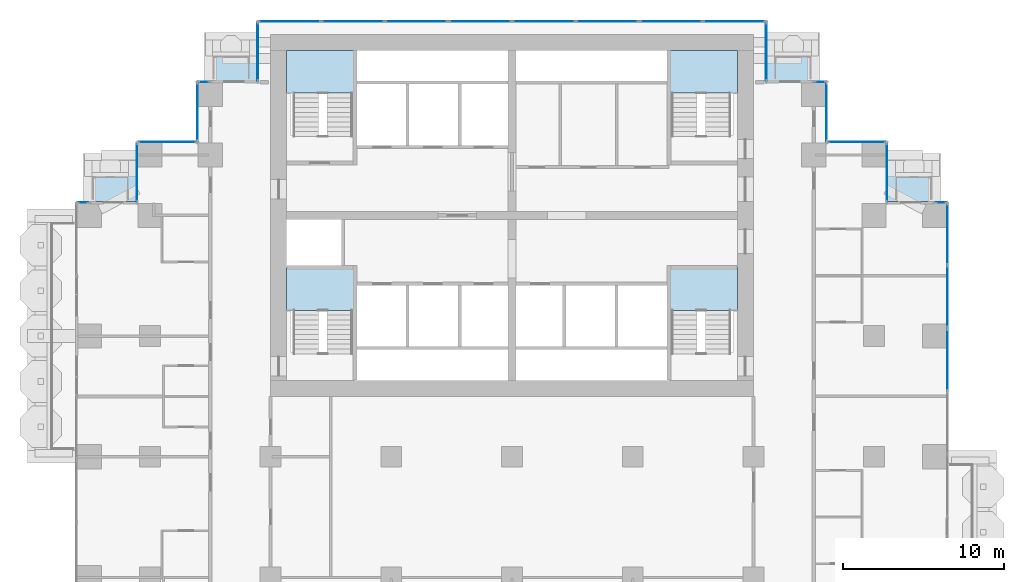
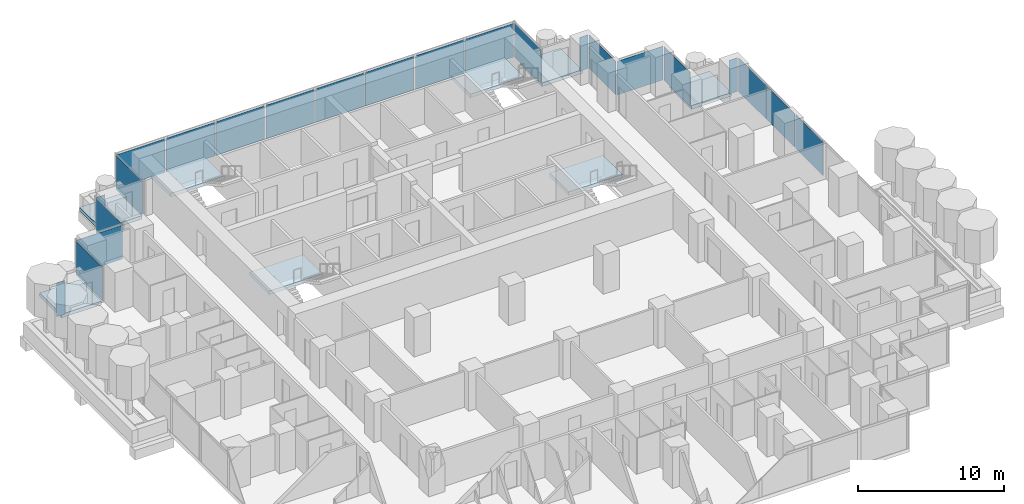
# One storey, part 9 of 19: 23 plates, 8 slabs, 21 elements without a shape of their own.
"""IFC4 building model written with IfcOpenShell, lengths in metres."""

import ifcopenshell
import ifcopenshell.guid

model = None  # the IFC model being written
_history = None  # IfcOwnerHistory: only IFC2X3 demands one
_inside = {}  # id of a spatial element -> (the spatial element, [elements in it])
_under = {}  # id of a project, library or spatial element -> (it, [spatial elements below it])
_declared = {}  # id of a project -> (the project, [libraries it declares])
_typed = {}  # id of a type object -> (the type object, [elements of that type])
_made_of = {}  # id of a material, layer set ... -> (it, [elements and type objects made of it])


def new_model(schema):
    """Start an empty IFC model of exactly this schema.

    Asked for "IFC4X3", IfcOpenShell would pick the latest addendum, in which some entities
    have other attributes; the version numbers below select the first issue.
    IFC2X3 requires an IfcOwnerHistory on every rooted entity: one is made here for all.
    """
    global model, _history
    if schema == "IFC4X3":
        model = ifcopenshell.file(schema_version=(4, 3, 0, 0))
    else:
        model = ifcopenshell.file(schema=schema)
    _inside.clear()
    _under.clear()
    _declared.clear()
    _typed.clear()
    _made_of.clear()
    _history = None
    if model.schema == "IFC2X3":
        org = make("IfcOrganization", Name="unknown")
        user = make(
            "IfcPersonAndOrganization",
            ThePerson=make("IfcPerson", FamilyName="unknown"),
            TheOrganization=org,
        )
        app = make(
            "IfcApplication",
            ApplicationDeveloper=org,
            Version="unknown",
            ApplicationFullName="unknown",
            ApplicationIdentifier="unknown",
        )
        _history = make(
            "IfcOwnerHistory",
            OwningUser=user,
            OwningApplication=app,
            ChangeAction="ADDED",
            CreationDate=0,
        )
    return model


def make(cls, **values):
    """One entity of the class cls with the attributes given. An attribute that is None is left unset."""
    return model.create_entity(
        cls, **{name: value for name, value in values.items() if value is not None}
    )


def rooted(cls, **values):
    """An entity with a GlobalId (a new one), such as an element, a storey or a relation."""
    return make(cls, GlobalId=ifcopenshell.guid.new(), OwnerHistory=_history, **values)


def si_unit(unit_type, name, prefix=None):
    """IfcSIUnit, for example si_unit("LENGTHUNIT", "METRE", prefix="MILLI")."""
    return make("IfcSIUnit", UnitType=unit_type, Prefix=prefix, Name=name)


def assignment(units):
    """IfcUnitAssignment: the units of a project."""
    return None if units is None else make("IfcUnitAssignment", Units=units)


def point(xyz):
    """IfcCartesianPoint."""
    return None if xyz is None else make("IfcCartesianPoint", Coordinates=xyz)


def direction(xyz):
    """IfcDirection."""
    return None if xyz is None else make("IfcDirection", DirectionRatios=xyz)


def frame(location, z_axis=None, x_axis=None):
    """IfcAxis2Placement3D, a coordinate frame: its origin and axes. An axis left out is left unset."""
    return make(
        "IfcAxis2Placement3D",
        Location=point(location),
        Axis=direction(z_axis),
        RefDirection=direction(x_axis),
    )


def frame_2d(location, x_axis=None):
    """IfcAxis2Placement2D, a coordinate frame in the plane: its origin and x axis."""
    return make(
        "IfcAxis2Placement2D", Location=point(location), RefDirection=direction(x_axis)
    )


def origin():
    """The frame at (0, 0, 0) with its axes left unset."""
    return frame((0.0, 0.0, 0.0))


def origin_2d():
    """The frame at (0, 0) in the plane with its x axis left unset."""
    return frame_2d((0.0, 0.0))


def place(relative_to, where):
    """IfcLocalPlacement: puts the frame where relative to a parent placement (None: the world)."""
    return make(
        "IfcLocalPlacement", PlacementRelTo=relative_to, RelativePlacement=where
    )


def context(
    kind, dimensions, precision=None, world=None, true_north=None, identifier=None
):
    """IfcGeometricRepresentationContext, for example the 3D "Model" context."""
    return make(
        "IfcGeometricRepresentationContext",
        ContextIdentifier=identifier,
        ContextType=kind,
        CoordinateSpaceDimension=dimensions,
        Precision=precision,
        WorldCoordinateSystem=world,
        TrueNorth=true_north,
    )


def subcontext(parent, identifier, kind, view, scale=None):
    """IfcGeometricRepresentationSubContext, for example "Body" below "Model"."""
    return make(
        "IfcGeometricRepresentationSubContext",
        ContextIdentifier=identifier,
        ContextType=kind,
        ParentContext=parent,
        TargetScale=scale,
        TargetView=view,
    )


def project(units=None, contexts=None):
    """IfcProject with its units and contexts."""
    return rooted(
        "IfcProject",
        Name="project",
        RepresentationContexts=contexts,
        UnitsInContext=assignment(units),
    )


def spatial(cls, under=None, at=None, **own):
    """A site, building, storey or space (cls), placed at a placement, below another one or the project."""
    s = rooted(cls, ObjectPlacement=at, **own)
    if under is not None:
        _under.setdefault(under.id(), (under, []))[1].append(s)
    return s


def polyline(points):
    """IfcPolyline through the points."""
    return make("IfcPolyline", Points=[point(p) for p in points])


def profile(cls, at=None, kind="AREA", **sizes):
    """A parametric profile (cls). Its sizes go by their IFC names, for example OverallWidth=200.0."""
    return make(cls, ProfileType=kind, Position=at, **sizes)


def rectangle(**sizes):
    """IfcRectangleProfileDef."""
    return profile("IfcRectangleProfileDef", **sizes)


def outline(outer, holes=None, kind="AREA"):
    """IfcArbitraryClosedProfileDef: a profile drawn as a closed curve; with holes, ...WithVoids."""
    if holes is None:
        return make("IfcArbitraryClosedProfileDef", ProfileType=kind, OuterCurve=outer)
    return make(
        "IfcArbitraryProfileDefWithVoids",
        ProfileType=kind,
        OuterCurve=outer,
        InnerCurves=holes,
    )


def extrude(swept, where, along, depth):
    """IfcExtrudedAreaSolid: the profile swept, set in the frame where, extruded along a direction by depth."""
    return make(
        "IfcExtrudedAreaSolid",
        SweptArea=swept,
        Position=where,
        ExtrudedDirection=direction(along),
        Depth=depth,
    )


def shape(context_of_items, identifier, shape_type, items):
    """IfcShapeRepresentation: the items that make up one representation, for example the "Body"."""
    return make(
        "IfcShapeRepresentation",
        ContextOfItems=context_of_items,
        RepresentationIdentifier=identifier,
        RepresentationType=shape_type,
        Items=items,
    )


def material(Name=None, Category=None):
    """IfcMaterial."""
    return make("IfcMaterial", Name=Name, Category=Category)


def layer(
    of_material, thickness, ventilated=None, Name=None, Category=None, Priority=None
):
    """IfcMaterialLayer: one layer of a wall or slab, of a material (None: an air gap)."""
    return make(
        "IfcMaterialLayer",
        Material=of_material,
        LayerThickness=thickness,
        IsVentilated=ventilated,
        Name=Name,
        Category=Category,
        Priority=Priority,
    )


def layer_set(layers, Name=None):
    """IfcMaterialLayerSet."""
    return make("IfcMaterialLayerSet", MaterialLayers=layers, LayerSetName=Name)


def made_of(thing, what):
    """Note that an element or type object is made of a material, layer set ...; save() writes the relation."""
    if what is not None:
        _made_of.setdefault(what.id(), (what, []))[1].append(thing)
    return thing


def type_object(cls, material=None, **own):
    """A type object (cls), such as IfcWallType, which elements share."""
    return made_of(rooted(cls, **own), material)


def element(
    cls,
    number,
    at=None,
    inside=None,
    cuts=None,
    type_object=None,
    material=None,
    context=None,
    identifier="Body",
    shape_type=None,
    held_by="IfcProductDefinitionShape",
    body=None,
    shapes=None,
    **own,
):
    """One element of the class cls, such as IfcWall. Its Tag is "e" and its number.

    at: its placement. inside: the storey or other place that contains it. cuts: it is an
    opening in that element (IfcRelVoidsElement). A single representation is given by context,
    identifier, shape_type and body (its items); several are given by shapes. held_by: the class
    of the entity that holds the representations. save() writes the other relations.
    """
    e = rooted(cls, Tag="e%d" % number, ObjectPlacement=at, **own)
    if body is not None:
        shapes = [shape(context, identifier, shape_type, body)]
    if shapes is not None:
        e.Representation = make(held_by, Representations=shapes)
    if inside is not None:
        _inside.setdefault(inside.id(), (inside, []))[1].append(e)
    if cuts is not None:
        rooted(
            "IfcRelVoidsElement", RelatingBuildingElement=cuts, RelatedOpeningElement=e
        )
    if type_object is not None:
        _typed.setdefault(type_object.id(), (type_object, []))[1].append(e)
    return made_of(e, material)


def aggregate(whole, parts):
    """IfcRelAggregates: a whole, such as a stair, and the parts it consists of."""
    return rooted("IfcRelAggregates", RelatingObject=whole, RelatedObjects=parts)


def save(model, path):
    """Write the relations noted so far, then the file.

    IfcRelAggregates (storeys below a building ...), IfcRelContainedInSpatialStructure (elements
    in a storey), IfcRelDefinesByType, IfcRelAssociatesMaterial and IfcRelDeclares: one each for
    every whole, place, type object, material and project.
    """
    for whole, parts in _under.values():
        aggregate(whole, parts)
    for where, things in _inside.values():
        rooted(
            "IfcRelContainedInSpatialStructure",
            RelatedElements=things,
            RelatingStructure=where,
        )
    for kind, things in _typed.values():
        rooted("IfcRelDefinesByType", RelatedObjects=things, RelatingType=kind)
    for what, things in _made_of.values():
        rooted("IfcRelAssociatesMaterial", RelatedObjects=things, RelatingMaterial=what)
    for by, libraries in _declared.values():
        rooted("IfcRelDeclares", RelatingContext=by, RelatedDefinitions=libraries)
    model.write(path)


model = new_model("IFC4")

# Units and contexts
model_context = context("Model", 3, precision=1e-05, world=origin(), true_north=direction((0.0, 1.0)))
body_context = subcontext(model_context, "Body", "Model", "MODEL_VIEW")
ifc_project = project(units=[si_unit("LENGTHUNIT", "METRE"), si_unit("AREAUNIT", "SQUARE_METRE"), si_unit("VOLUMEUNIT", "CUBIC_METRE"), si_unit("PLANEANGLEUNIT", "RADIAN"), si_unit("MASSUNIT", "GRAM", prefix="KILO")], contexts=[model_context])

# Site, building, storey
site_placement = place(None, origin())
site = spatial("IfcSite", under=ifc_project, at=site_placement, CompositionType="ELEMENT")
building_placement = place(site_placement, origin())
building = spatial("IfcBuilding", under=site, at=building_placement, Name="Pilkhan Gate Tower", CompositionType="ELEMENT")
storey_placement = place(building_placement, frame((0.0, 0.0, 89.0)))
storey = spatial("IfcBuildingStorey", under=building, at=storey_placement, Name="L21", CompositionType="ELEMENT", Elevation=89.0)

# Slabs
ifc_material_1 = material(Name="Concrete C60/75", Category="concrete")
ifc_layer_1 = layer(ifc_material_1, 0.300048828125)
ifc_layer_set_1 = layer_set([ifc_layer_1], Name="Balcony tray slab TR300")
slab_type_1 = type_object("IfcSlabType", Name="Balcony tray slab TR300", PredefinedType="FLOOR", material=ifc_layer_set_1)
slab_1_placement = place(storey_placement, frame((0.0, 0.0, -0.300048828125)))
element("IfcSlab", 1, at=slab_1_placement, inside=storey, type_object=slab_type_1, Name="Balcony tray L21 N", PredefinedType="FLOOR", context=body_context, shape_type="SweptSolid", body=[
    extrude(outline(polyline([(59.14990234375, 90.85009765625), (59.14990234375, 93.85009765625), (55.949951171875, 93.85009765625), (55.949951171875, 90.85009765625), (59.14990234375, 90.85009765625)])), origin(), (0.0, 0.0, 1.0), 0.300048828125),
])
slab_2_placement = place(storey_placement, frame((0.0, 0.0, -0.300048828125)))
element("IfcSlab", 2, at=slab_2_placement, inside=storey, type_object=slab_type_1, Name="Balcony tray L21 N", PredefinedType="FLOOR", context=body_context, shape_type="SweptSolid", body=[
    extrude(outline(polyline([(94.050048828125, 90.85009765625), (94.050048828125, 93.85009765625), (90.85009765625, 93.85009765625), (90.85009765625, 90.85009765625), (94.050048828125, 90.85009765625)])), origin(), (0.0, 0.0, 1.0), 0.300048828125),
])
slab_3_placement = place(storey_placement, frame((0.0, 0.0, -0.300048828125)))
element("IfcSlab", 3, at=slab_3_placement, inside=storey, type_object=slab_type_1, Name="Balcony tray L21 N", PredefinedType="FLOOR", context=body_context, shape_type="SweptSolid", body=[
    extrude(outline(polyline([(51.6298828125, 83.3701171875), (51.6298828125, 86.35009765625), (48.449951171875, 86.35009765625), (48.449951171875, 83.3701171875), (51.6298828125, 83.3701171875)])), origin(), (0.0, 0.0, 1.0), 0.300048828125),
])
slab_4_placement = place(storey_placement, frame((0.0, 0.0, -0.300048828125)))
element("IfcSlab", 4, at=slab_4_placement, inside=storey, type_object=slab_type_1, Name="Balcony tray L21 N", PredefinedType="FLOOR", context=body_context, shape_type="SweptSolid", body=[
    extrude(outline(polyline([(101.550048828125, 83.3701171875), (101.550048828125, 86.35009765625), (98.3701171875, 86.35009765625), (98.3701171875, 83.3701171875), (101.550048828125, 83.3701171875)])), origin(), (0.0, 0.0, 1.0), 0.300048828125),
])

# Curtain wall, plate
ifc_material_2 = material(Name="Pale anodised aluminium, clear low-iron double glazing", Category="aluminium")
curtain_wall_type = type_object("IfcCurtainWallType", Name="Hotel unitised curtain wall CW-H", PredefinedType="USERDEFINED", material=ifc_material_2)
curtain_wall_1_placement = place(storey_placement, origin())
curtain_wall_1 = element("IfcCurtainWall", 5, at=curtain_wall_1_placement, inside=storey, type_object=curtain_wall_type, Name="Hotel unitised curtain wall CW-H L21 E", ObjectType="UNITISED CURTAIN WALL", PredefinedType="USERDEFINED")
ifc_material_3 = material(Name="Clear low-iron double glazing", Category="glass")
ifc_layer_2 = layer(ifc_material_3, 0.035888671875)
ifc_layer_set_2 = layer_set([ifc_layer_2], Name="Glass panel CW-H 36")
plate_type = type_object("IfcPlateType", Name="Glass panel CW-H 36", PredefinedType="CURTAIN_PANEL", material=ifc_layer_set_2)
plate_1_placement = place(storey_placement, frame((102.044921875, 73.50634765625, 0.0), z_axis=(0.0, 0.0, 1.0), x_axis=(0.0, 1.0, 0.0)))
plate_1 = element("IfcPlate", 6, at=plate_1_placement, type_object=plate_type, Name="CW-H panel 3", PredefinedType="CURTAIN_PANEL", context=body_context, shape_type="SweptSolid", body=[
    extrude(rectangle(XDim=3.8115234375, YDim=0.035888671875, at=origin_2d()), origin(), (0.0, 0.0, 1.0), 2.820068359375),
])
aggregate(curtain_wall_1, [plate_1])

# Curtain wall, plates
curtain_wall_2_placement = place(storey_placement, origin())
curtain_wall_2 = element("IfcCurtainWall", 7, at=curtain_wall_2_placement, inside=storey, type_object=curtain_wall_type, Name="Hotel unitised curtain wall CW-H L21 E", ObjectType="UNITISED CURTAIN WALL", PredefinedType="USERDEFINED")
plate_2_placement = place(storey_placement, frame((102.044921875, 77.44775390625, 0.0), z_axis=(0.0, 0.0, 1.0), x_axis=(0.0, 1.0, 0.0)))
plate_2 = element("IfcPlate", 8, at=plate_2_placement, type_object=plate_type, Name="CW-H panel 1", PredefinedType="CURTAIN_PANEL", context=body_context, shape_type="SweptSolid", body=[
    extrude(rectangle(XDim=3.8115234375, YDim=0.035888671875, at=origin_2d()), origin(), (0.0, 0.0, 1.0), 2.820068359375),
])
plate_3_placement = place(storey_placement, frame((102.044921875, 81.32421875, 0.0), z_axis=(0.0, 0.0, 1.0), x_axis=(0.0, 1.0, 0.0)))
plate_3 = element("IfcPlate", 9, at=plate_3_placement, type_object=plate_type, Name="CW-H panel 2", PredefinedType="CURTAIN_PANEL", context=body_context, shape_type="SweptSolid", body=[
    extrude(rectangle(XDim=3.8115234375, YDim=0.035888671875, at=origin_2d()), origin(), (0.0, 0.0, 1.0), 2.820068359375),
])
aggregate(curtain_wall_2, [plate_2, plate_3])

# Curtain wall, plate
curtain_wall_3_placement = place(storey_placement, origin())
curtain_wall_3 = element("IfcCurtainWall", 10, at=curtain_wall_3_placement, inside=storey, type_object=curtain_wall_type, Name="Hotel unitised curtain wall CW-H L21 N", ObjectType="UNITISED CURTAIN WALL", PredefinedType="USERDEFINED")
plate_4_placement = place(storey_placement, frame((101.6474609375, 83.294921875, 0.0), z_axis=(0.0, 0.0, 1.0), x_axis=(1.0, 0.0, 0.0)))
plate_4 = element("IfcPlate", 11, at=plate_4_placement, type_object=plate_type, Name="CW-H panel 1", PredefinedType="CURTAIN_PANEL", context=body_context, shape_type="SweptSolid", body=[
    extrude(rectangle(XDim=0.6650390625, YDim=0.035888671875, at=origin_2d()), origin(), (0.0, 0.0, 1.0), 2.820068359375),
])
aggregate(curtain_wall_3, [plate_4])

curtain_wall_4_placement = place(storey_placement, origin())
curtain_wall_4 = element("IfcCurtainWall", 12, at=curtain_wall_4_placement, inside=storey, type_object=curtain_wall_type, Name="Hotel unitised curtain wall CW-H L21 E", ObjectType="UNITISED CURTAIN WALL", PredefinedType="USERDEFINED")
plate_5_placement = place(storey_placement, frame((98.294921875, 85.169921875, 0.0), z_axis=(0.0, 0.0, 1.0), x_axis=(0.0, 1.0, 0.0)))
plate_5 = element("IfcPlate", 13, at=plate_5_placement, type_object=plate_type, Name="CW-H panel 1", PredefinedType="CURTAIN_PANEL", context=body_context, shape_type="SweptSolid", body=[
    extrude(rectangle(XDim=3.6201171875, YDim=0.035888671875, at=origin_2d()), origin(), (0.0, 0.0, 1.0), 2.820068359375),
])
aggregate(curtain_wall_4, [plate_5])

curtain_wall_5_placement = place(storey_placement, origin())
curtain_wall_5 = element("IfcCurtainWall", 14, at=curtain_wall_5_placement, inside=storey, type_object=curtain_wall_type, Name="Hotel unitised curtain wall CW-H L21 N", ObjectType="UNITISED CURTAIN WALL", PredefinedType="USERDEFINED")
plate_6_placement = place(storey_placement, frame((96.419921875, 87.044921875, 0.0), z_axis=(0.0, 0.0, 1.0), x_axis=(1.0, 0.0, 0.0)))
plate_6 = element("IfcPlate", 15, at=plate_6_placement, type_object=plate_type, Name="CW-H panel 1", PredefinedType="CURTAIN_PANEL", context=body_context, shape_type="SweptSolid", body=[
    extrude(rectangle(XDim=3.6201171875, YDim=0.035888671875, at=origin_2d()), origin(), (0.0, 0.0, 1.0), 2.820068359375),
])
aggregate(curtain_wall_5, [plate_6])

curtain_wall_6_placement = place(storey_placement, origin())
curtain_wall_6 = element("IfcCurtainWall", 16, at=curtain_wall_6_placement, inside=storey, type_object=curtain_wall_type, Name="Hotel unitised curtain wall CW-H L21 E", ObjectType="UNITISED CURTAIN WALL", PredefinedType="USERDEFINED")
plate_7_placement = place(storey_placement, frame((94.544921875, 88.919921875, 0.0), z_axis=(0.0, 0.0, 1.0), x_axis=(0.0, 1.0, 0.0)))
plate_7 = element("IfcPlate", 17, at=plate_7_placement, type_object=plate_type, Name="CW-H panel 1", PredefinedType="CURTAIN_PANEL", context=body_context, shape_type="SweptSolid", body=[
    extrude(rectangle(XDim=3.6201171875, YDim=0.035888671875, at=origin_2d()), origin(), (0.0, 0.0, 1.0), 2.820068359375),
])
aggregate(curtain_wall_6, [plate_7])

curtain_wall_7_placement = place(storey_placement, origin())
curtain_wall_7 = element("IfcCurtainWall", 18, at=curtain_wall_7_placement, inside=storey, type_object=curtain_wall_type, Name="Hotel unitised curtain wall CW-H L21 N", ObjectType="UNITISED CURTAIN WALL", PredefinedType="USERDEFINED")
plate_8_placement = place(storey_placement, frame((94.1474609375, 90.794921875, 0.0), z_axis=(0.0, 0.0, 1.0), x_axis=(1.0, 0.0, 0.0)))
plate_8 = element("IfcPlate", 19, at=plate_8_placement, type_object=plate_type, Name="CW-H panel 1", PredefinedType="CURTAIN_PANEL", context=body_context, shape_type="SweptSolid", body=[
    extrude(rectangle(XDim=0.6650390625, YDim=0.035888671875, at=origin_2d()), origin(), (0.0, 0.0, 1.0), 2.820068359375),
])
aggregate(curtain_wall_7, [plate_8])

curtain_wall_8_placement = place(storey_placement, origin())
curtain_wall_8 = element("IfcCurtainWall", 20, at=curtain_wall_8_placement, inside=storey, type_object=curtain_wall_type, Name="Hotel unitised curtain wall CW-H L21 E", ObjectType="UNITISED CURTAIN WALL", PredefinedType="USERDEFINED")
plate_9_placement = place(storey_placement, frame((90.794921875, 92.669921875, 0.0), z_axis=(0.0, 0.0, 1.0), x_axis=(0.0, 1.0, 0.0)))
plate_9 = element("IfcPlate", 21, at=plate_9_placement, type_object=plate_type, Name="CW-H panel 1", PredefinedType="CURTAIN_PANEL", context=body_context, shape_type="SweptSolid", body=[
    extrude(rectangle(XDim=3.6201171875, YDim=0.035888671875, at=origin_2d()), origin(), (0.0, 0.0, 1.0), 2.820068359375),
])
aggregate(curtain_wall_8, [plate_9])

# Curtain wall, plates
curtain_wall_9_placement = place(storey_placement, origin())
curtain_wall_9 = element("IfcCurtainWall", 22, at=curtain_wall_9_placement, inside=storey, type_object=curtain_wall_type, Name="Hotel unitised curtain wall CW-H L21 N", ObjectType="UNITISED CURTAIN WALL", PredefinedType="USERDEFINED")
plate_10_placement = place(storey_placement, frame((61.195556640625, 94.544921875, 0.0), z_axis=(0.0, 0.0, 1.0), x_axis=(1.0, 0.0, 0.0)))
plate_10 = element("IfcPlate", 23, at=plate_10_placement, type_object=plate_type, Name="CW-H panel 1", PredefinedType="CURTAIN_PANEL", context=body_context, shape_type="SweptSolid", body=[
    extrude(rectangle(XDim=3.851318359375, YDim=0.035888671875, at=origin_2d()), origin(), (0.0, 0.0, 1.0), 2.820068359375),
])
plate_11_placement = place(storey_placement, frame((65.128173828125, 94.544921875, 0.0), z_axis=(0.0, 0.0, 1.0), x_axis=(1.0, 0.0, 0.0)))
plate_11 = element("IfcPlate", 24, at=plate_11_placement, type_object=plate_type, Name="CW-H panel 2", PredefinedType="CURTAIN_PANEL", context=body_context, shape_type="SweptSolid", body=[
    extrude(rectangle(XDim=3.8837890625, YDim=0.035888671875, at=origin_2d()), origin(), (0.0, 0.0, 1.0), 2.820068359375),
])
plate_12_placement = place(storey_placement, frame((69.060546875, 94.544921875, 0.0), z_axis=(0.0, 0.0, 1.0), x_axis=(1.0, 0.0, 0.0)))
plate_12 = element("IfcPlate", 25, at=plate_12_placement, type_object=plate_type, Name="CW-H panel 3", PredefinedType="CURTAIN_PANEL", context=body_context, shape_type="SweptSolid", body=[
    extrude(rectangle(XDim=3.851318359375, YDim=0.035888671875, at=origin_2d()), origin(), (0.0, 0.0, 1.0), 2.820068359375),
])
aggregate(curtain_wall_9, [plate_10, plate_11, plate_12])

curtain_wall_10_placement = place(storey_placement, origin())
curtain_wall_10 = element("IfcCurtainWall", 26, at=curtain_wall_10_placement, inside=storey, type_object=curtain_wall_type, Name="Hotel unitised curtain wall CW-H L21 N", ObjectType="UNITISED CURTAIN WALL", PredefinedType="USERDEFINED")
plate_13_placement = place(storey_placement, frame((73.0419921875, 94.544921875, 0.0), z_axis=(0.0, 0.0, 1.0), x_axis=(1.0, 0.0, 0.0)))
plate_13 = element("IfcPlate", 27, at=plate_13_placement, type_object=plate_type, Name="CW-H panel 1", PredefinedType="CURTAIN_PANEL", context=body_context, shape_type="SweptSolid", body=[
    extrude(rectangle(XDim=3.851318359375, YDim=0.035888671875, at=origin_2d()), origin(), (0.0, 0.0, 1.0), 2.820068359375),
])
plate_14_placement = place(storey_placement, frame((76.974365234375, 94.544921875, 0.0), z_axis=(0.0, 0.0, 1.0), x_axis=(1.0, 0.0, 0.0)))
plate_14 = element("IfcPlate", 28, at=plate_14_placement, type_object=plate_type, Name="CW-H panel 2", PredefinedType="CURTAIN_PANEL", context=body_context, shape_type="SweptSolid", body=[
    extrude(rectangle(XDim=3.8837890625, YDim=0.035888671875, at=origin_2d()), origin(), (0.0, 0.0, 1.0), 2.820068359375),
])
plate_15_placement = place(storey_placement, frame((80.906982421875, 94.544921875, 0.0), z_axis=(0.0, 0.0, 1.0), x_axis=(1.0, 0.0, 0.0)))
plate_15 = element("IfcPlate", 29, at=plate_15_placement, type_object=plate_type, Name="CW-H panel 3", PredefinedType="CURTAIN_PANEL", context=body_context, shape_type="SweptSolid", body=[
    extrude(rectangle(XDim=3.851318359375, YDim=0.035888671875, at=origin_2d()), origin(), (0.0, 0.0, 1.0), 2.820068359375),
])
aggregate(curtain_wall_10, [plate_13, plate_14, plate_15])

curtain_wall_11_placement = place(storey_placement, origin())
curtain_wall_11 = element("IfcCurtainWall", 30, at=curtain_wall_11_placement, inside=storey, type_object=curtain_wall_type, Name="Hotel unitised curtain wall CW-H L21 N", ObjectType="UNITISED CURTAIN WALL", PredefinedType="USERDEFINED")
plate_16_placement = place(storey_placement, frame((84.88818359375, 94.544921875, 0.0), z_axis=(0.0, 0.0, 1.0), x_axis=(1.0, 0.0, 0.0)))
plate_16 = element("IfcPlate", 31, at=plate_16_placement, type_object=plate_type, Name="CW-H panel 1", PredefinedType="CURTAIN_PANEL", context=body_context, shape_type="SweptSolid", body=[
    extrude(rectangle(XDim=3.851318359375, YDim=0.035888671875, at=origin_2d()), origin(), (0.0, 0.0, 1.0), 2.820068359375),
])
plate_17_placement = place(storey_placement, frame((88.804443359375, 94.544921875, 0.0), z_axis=(0.0, 0.0, 1.0), x_axis=(1.0, 0.0, 0.0)))
plate_17 = element("IfcPlate", 32, at=plate_17_placement, type_object=plate_type, Name="CW-H panel 2", PredefinedType="CURTAIN_PANEL", context=body_context, shape_type="SweptSolid", body=[
    extrude(rectangle(XDim=3.851318359375, YDim=0.035888671875, at=origin_2d()), origin(), (0.0, 0.0, 1.0), 2.820068359375),
])
aggregate(curtain_wall_11, [plate_16, plate_17])

# Curtain wall, plate
curtain_wall_12_placement = place(storey_placement, origin())
curtain_wall_12 = element("IfcCurtainWall", 33, at=curtain_wall_12_placement, inside=storey, type_object=curtain_wall_type, Name="Hotel unitised curtain wall CW-H L21 W", ObjectType="UNITISED CURTAIN WALL", PredefinedType="USERDEFINED")
plate_18_placement = place(storey_placement, frame((59.205078125, 92.669921875, 0.0), z_axis=(0.0, 0.0, 1.0), x_axis=(0.0, 1.0, 0.0)))
plate_18 = element("IfcPlate", 34, at=plate_18_placement, type_object=plate_type, Name="CW-H panel 1", PredefinedType="CURTAIN_PANEL", context=body_context, shape_type="SweptSolid", body=[
    extrude(rectangle(XDim=3.6201171875, YDim=0.035888671875, at=origin_2d()), origin(), (0.0, 0.0, 1.0), 2.820068359375),
])
aggregate(curtain_wall_12, [plate_18])

curtain_wall_13_placement = place(storey_placement, origin())
curtain_wall_13 = element("IfcCurtainWall", 35, at=curtain_wall_13_placement, inside=storey, type_object=curtain_wall_type, Name="Hotel unitised curtain wall CW-H L21 N", ObjectType="UNITISED CURTAIN WALL", PredefinedType="USERDEFINED")
plate_19_placement = place(storey_placement, frame((55.8525390625, 90.794921875, 0.0), z_axis=(0.0, 0.0, 1.0), x_axis=(1.0, 0.0, 0.0)))
plate_19 = element("IfcPlate", 36, at=plate_19_placement, type_object=plate_type, Name="CW-H panel 1", PredefinedType="CURTAIN_PANEL", context=body_context, shape_type="SweptSolid", body=[
    extrude(rectangle(XDim=0.6650390625, YDim=0.035888671875, at=origin_2d()), origin(), (0.0, 0.0, 1.0), 2.820068359375),
])
aggregate(curtain_wall_13, [plate_19])

curtain_wall_14_placement = place(storey_placement, origin())
curtain_wall_14 = element("IfcCurtainWall", 37, at=curtain_wall_14_placement, inside=storey, type_object=curtain_wall_type, Name="Hotel unitised curtain wall CW-H L21 W", ObjectType="UNITISED CURTAIN WALL", PredefinedType="USERDEFINED")
plate_20_placement = place(storey_placement, frame((55.455078125, 88.919921875, 0.0), z_axis=(0.0, 0.0, 1.0), x_axis=(0.0, 1.0, 0.0)))
plate_20 = element("IfcPlate", 38, at=plate_20_placement, type_object=plate_type, Name="CW-H panel 1", PredefinedType="CURTAIN_PANEL", context=body_context, shape_type="SweptSolid", body=[
    extrude(rectangle(XDim=3.6201171875, YDim=0.035888671875, at=origin_2d()), origin(), (0.0, 0.0, 1.0), 2.820068359375),
])
aggregate(curtain_wall_14, [plate_20])

curtain_wall_15_placement = place(storey_placement, origin())
curtain_wall_15 = element("IfcCurtainWall", 39, at=curtain_wall_15_placement, inside=storey, type_object=curtain_wall_type, Name="Hotel unitised curtain wall CW-H L21 N", ObjectType="UNITISED CURTAIN WALL", PredefinedType="USERDEFINED")
plate_21_placement = place(storey_placement, frame((53.580078125, 87.044921875, 0.0), z_axis=(0.0, 0.0, 1.0), x_axis=(1.0, 0.0, 0.0)))
plate_21 = element("IfcPlate", 40, at=plate_21_placement, type_object=plate_type, Name="CW-H panel 1", PredefinedType="CURTAIN_PANEL", context=body_context, shape_type="SweptSolid", body=[
    extrude(rectangle(XDim=3.6201171875, YDim=0.035888671875, at=origin_2d()), origin(), (0.0, 0.0, 1.0), 2.820068359375),
])
aggregate(curtain_wall_15, [plate_21])

curtain_wall_16_placement = place(storey_placement, origin())
curtain_wall_16 = element("IfcCurtainWall", 41, at=curtain_wall_16_placement, inside=storey, type_object=curtain_wall_type, Name="Hotel unitised curtain wall CW-H L21 W", ObjectType="UNITISED CURTAIN WALL", PredefinedType="USERDEFINED")
plate_22_placement = place(storey_placement, frame((51.705078125, 85.169921875, 0.0), z_axis=(0.0, 0.0, 1.0), x_axis=(0.0, 1.0, 0.0)))
plate_22 = element("IfcPlate", 42, at=plate_22_placement, type_object=plate_type, Name="CW-H panel 1", PredefinedType="CURTAIN_PANEL", context=body_context, shape_type="SweptSolid", body=[
    extrude(rectangle(XDim=3.6201171875, YDim=0.035888671875, at=origin_2d()), origin(), (0.0, 0.0, 1.0), 2.820068359375),
])
aggregate(curtain_wall_16, [plate_22])

curtain_wall_17_placement = place(storey_placement, origin())
curtain_wall_17 = element("IfcCurtainWall", 43, at=curtain_wall_17_placement, inside=storey, type_object=curtain_wall_type, Name="Hotel unitised curtain wall CW-H L21 N", ObjectType="UNITISED CURTAIN WALL", PredefinedType="USERDEFINED")
plate_23_placement = place(storey_placement, frame((48.3525390625, 83.294921875, 0.0), z_axis=(0.0, 0.0, 1.0), x_axis=(1.0, 0.0, 0.0)))
plate_23 = element("IfcPlate", 44, at=plate_23_placement, type_object=plate_type, Name="CW-H panel 1", PredefinedType="CURTAIN_PANEL", context=body_context, shape_type="SweptSolid", body=[
    extrude(rectangle(XDim=0.6650390625, YDim=0.035888671875, at=origin_2d()), origin(), (0.0, 0.0, 1.0), 2.820068359375),
])
aggregate(curtain_wall_17, [plate_23])

# Stair, slab
ifc_material_4 = material(Name="Concrete C40/50 precast", Category="concrete")
stair_type_1 = type_object("IfcStairType", Name="Stair ST1 165x300", PredefinedType="HALF_TURN_STAIR", material=ifc_material_4)
stair_1_placement = place(storey_placement, origin())
stair_1 = element("IfcStair", 45, at=stair_1_placement, inside=storey, type_object=stair_type_1, Name="Stair ST1 L21", PredefinedType="HALF_TURN_STAIR")
ifc_material_5 = material(Name="Concrete C40/50", Category="concrete")
ifc_layer_3 = layer(ifc_material_5, 0.199951171875)
ifc_layer_set_3 = layer_set([ifc_layer_3], Name="Stair landing SL200")
slab_type_2 = type_object("IfcSlabType", Name="Stair landing SL200", PredefinedType="LANDING", material=ifc_layer_set_3)
slab_5_placement = place(storey_placement, frame((0.0, 0.0, 1.35009765625)))
slab_5 = element("IfcSlab", 46, at=slab_5_placement, type_object=slab_type_2, Name="ST1 landing 1", PredefinedType="LANDING", context=body_context, shape_type="SweptSolid", body=[
    extrude(outline(polyline([(89.0, 76.60009765625), (89.0, 79.25), (84.75, 79.25), (84.75, 76.60009765625), (89.0, 76.60009765625)])), origin(), (0.0, 0.0, 1.0), 0.2998046875),
])
aggregate(stair_1, [slab_5])

stair_type_2 = type_object("IfcStairType", Name="Stair ST2 165x300", PredefinedType="HALF_TURN_STAIR", material=ifc_material_4)
stair_2_placement = place(storey_placement, origin())
stair_2 = element("IfcStair", 47, at=stair_2_placement, inside=storey, type_object=stair_type_2, Name="Stair ST2 L21", PredefinedType="HALF_TURN_STAIR")
slab_6_placement = place(storey_placement, frame((0.0, 0.0, 1.35009765625)))
slab_6 = element("IfcSlab", 48, at=slab_6_placement, type_object=slab_type_2, Name="ST2 landing 1", PredefinedType="LANDING", context=body_context, shape_type="SweptSolid", body=[
    extrude(outline(polyline([(65.25, 76.60009765625), (65.25, 79.25), (61.0, 79.25), (61.0, 76.60009765625), (65.25, 76.60009765625)])), origin(), (0.0, 0.0, 1.0), 0.2998046875),
])
aggregate(stair_2, [slab_6])

stair_type_3 = type_object("IfcStairType", Name="Stair ST3 165x300", PredefinedType="HALF_TURN_STAIR", material=ifc_material_4)
stair_3_placement = place(storey_placement, origin())
stair_3 = element("IfcStair", 49, at=stair_3_placement, inside=storey, type_object=stair_type_3, Name="Stair ST3 L21", PredefinedType="HALF_TURN_STAIR")
slab_7_placement = place(storey_placement, frame((0.0, 0.0, 1.35009765625)))
slab_7 = element("IfcSlab", 50, at=slab_7_placement, type_object=slab_type_2, Name="ST3 landing 1", PredefinedType="LANDING", context=body_context, shape_type="SweptSolid", body=[
    extrude(outline(polyline([(65.25, 90.10009765625), (65.25, 92.75), (61.0, 92.75), (61.0, 90.10009765625), (65.25, 90.10009765625)])), origin(), (0.0, 0.0, 1.0), 0.2998046875),
])
aggregate(stair_3, [slab_7])

stair_type_4 = type_object("IfcStairType", Name="Stair ST4 165x300", PredefinedType="HALF_TURN_STAIR", material=ifc_material_4)
stair_4_placement = place(storey_placement, origin())
stair_4 = element("IfcStair", 51, at=stair_4_placement, inside=storey, type_object=stair_type_4, Name="Stair ST4 L21", PredefinedType="HALF_TURN_STAIR")
slab_8_placement = place(storey_placement, frame((0.0, 0.0, 1.35009765625)))
slab_8 = element("IfcSlab", 52, at=slab_8_placement, type_object=slab_type_2, Name="ST4 landing 1", PredefinedType="LANDING", context=body_context, shape_type="SweptSolid", body=[
    extrude(outline(polyline([(89.0, 90.10009765625), (89.0, 92.75), (84.75, 92.75), (84.75, 90.10009765625), (89.0, 90.10009765625)])), origin(), (0.0, 0.0, 1.0), 0.2998046875),
])
aggregate(stair_4, [slab_8])

save(model, "model.ifc")
